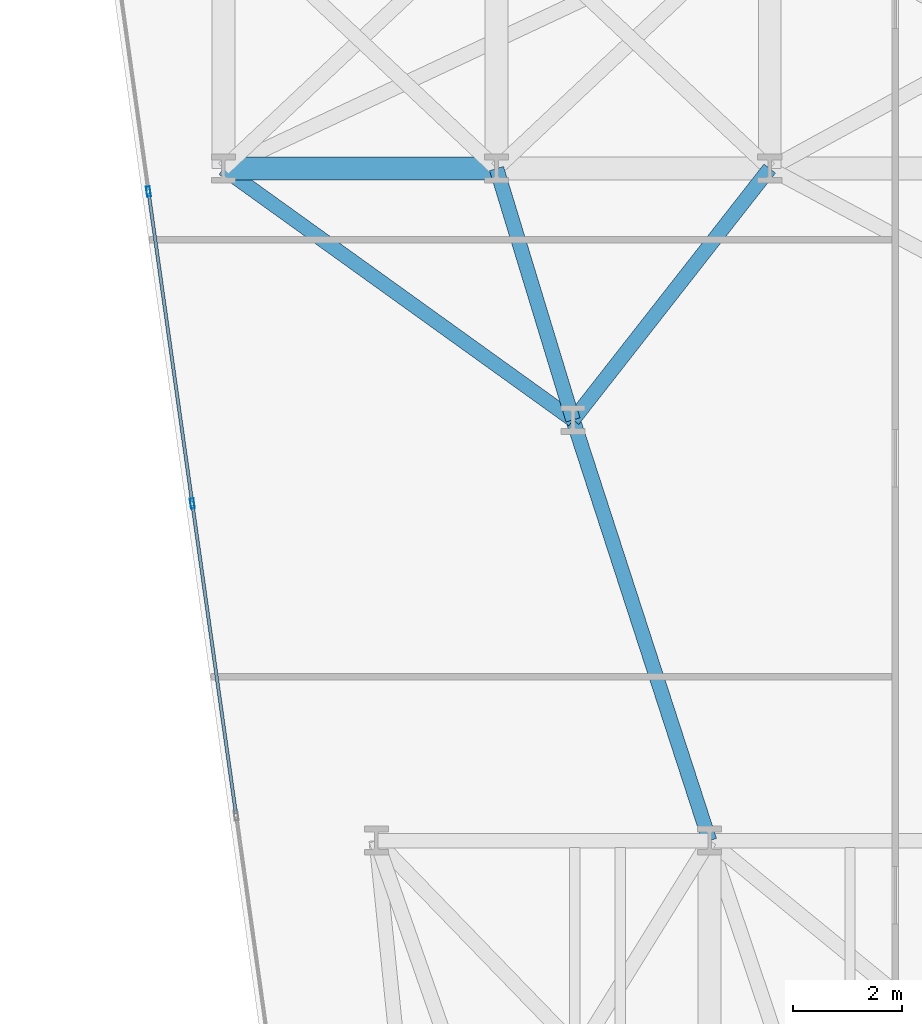
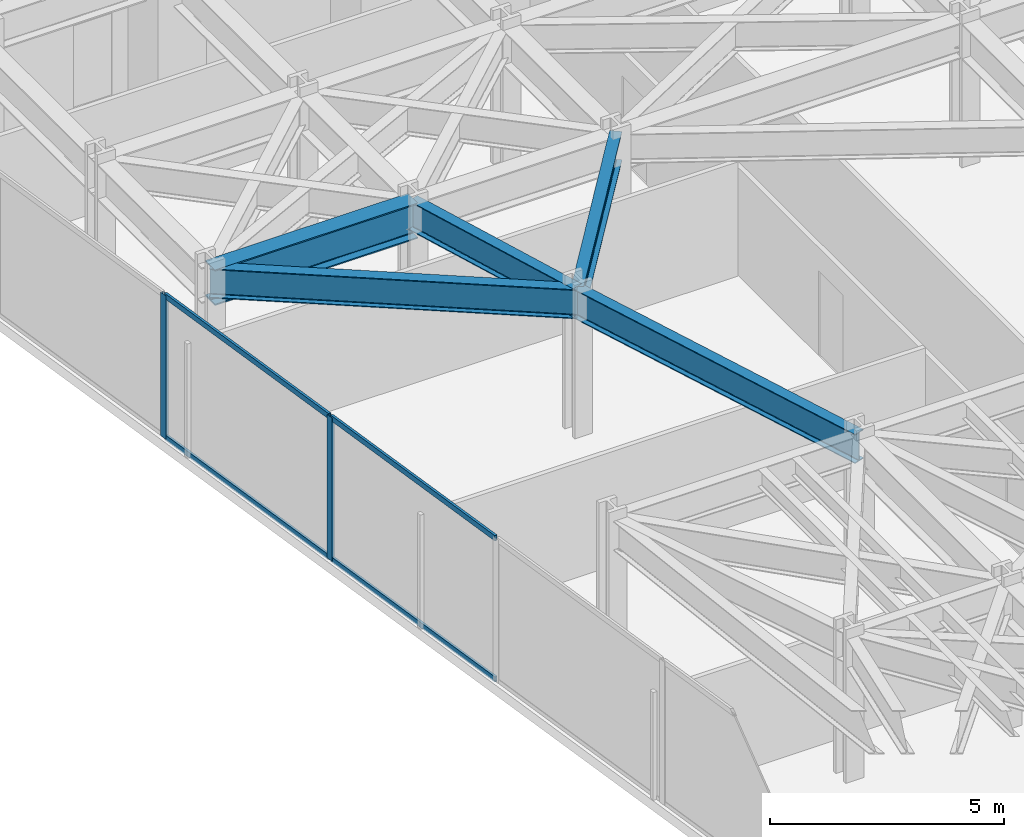
# One storey, part 7 of 24: 6 members, 5 beams, 1 element without a shape of its own.
"""IFC4 building model written with IfcOpenShell, lengths in metres."""

from ifc_helpers import new_model, si_unit, direction, frame, origin, origin_2d, place, context, subcontext, project, spatial, hollow_rectangle, i_section, extrude, material, layer, layer_set, material_profile, profile_set, type_object, element, aggregate, save


model = new_model("IFC4")

# Units and contexts
model_context = context("Model", 3, precision=1e-05, world=origin(), true_north=direction((0.0, 1.0)))
body_context = subcontext(model_context, "Body", "Model", "MODEL_VIEW")
ifc_project = project(units=[si_unit("LENGTHUNIT", "METRE"), si_unit("AREAUNIT", "SQUARE_METRE"), si_unit("VOLUMEUNIT", "CUBIC_METRE"), si_unit("PLANEANGLEUNIT", "RADIAN"), si_unit("MASSUNIT", "GRAM", prefix="KILO")], contexts=[model_context])

# Site, building, storey
site_placement = place(None, origin())
site = spatial("IfcSite", under=ifc_project, at=site_placement, CompositionType="ELEMENT")
building_placement = place(site_placement, origin())
building = spatial("IfcBuilding", under=site, at=building_placement, Name="Kravanh Interchange Tower", CompositionType="ELEMENT")
storey_placement = place(building_placement, frame((0.0, 0.0, 53.5)))
storey = spatial("IfcBuildingStorey", under=building, at=storey_placement, Name="L12", CompositionType="ELEMENT", Elevation=53.5)

# Curtain wall, members
ifc_material_1 = material(Name="Anodised Bronze Aluminium", Category="aluminium")
ifc_layer = layer(ifc_material_1, 0.179931640625)
ifc_layer_set = layer_set([ifc_layer], Name="Unitised Curtain Wall System CW-Z1 Lower Office")
curtain_wall_type = type_object("IfcCurtainWallType", Name="Unitised Curtain Wall System CW-Z1 Lower Office", PredefinedType="NOTDEFINED", material=ifc_layer_set)
curtain_wall_placement = place(storey_placement, origin())
curtain_wall = element("IfcCurtainWall", 1, at=curtain_wall_placement, inside=storey, type_object=curtain_wall_type, Name="L12 Unitised Curtain Wall CW-L12-01", PredefinedType="NOTDEFINED")
ifc_material_2 = material(Name="Anodised Bronze Aluminium", Category="aluminium")
ifc_material_profile_1 = material_profile(ifc_material_2, hollow_rectangle(XDim=0.070068359375, YDim=0.179931640625, WallThickness=0.00390625, at=origin_2d()), Name="ALU70X180X4")
ifc_profile_set_1 = profile_set([ifc_material_profile_1], Name="Anodised Bronze Aluminium")
member_type_1 = type_object("IfcMemberType", Name="Curtain Wall Mullion ALU70X180X4 Bronze", PredefinedType="MULLION", material=ifc_profile_set_1)
member_1_placement = place(storey_placement, frame((8.03271484375, 20.66845703125, 0.0), z_axis=(0.0, 0.0, 1.0), x_axis=(-0.990267585682, -0.139176538065, 0.0)))
member_1 = element("IfcMember", 2, at=member_1_placement, type_object=member_type_1, Name="CW-Z1 mullion 4", PredefinedType="MULLION", context=body_context, shape_type="SweptSolid", body=[
    extrude(hollow_rectangle(XDim=0.070068359375, YDim=0.179931640625, WallThickness=0.00390625, at=origin_2d()), origin(), (0.0, 0.0, 1.0), 3.739990234375),
])
member_2_placement = place(storey_placement, frame((7.22998046875, 26.37890625, 0.0), z_axis=(0.0, 0.0, 1.0), x_axis=(-0.990267585682, -0.139176538065, 0.0)))
member_2 = element("IfcMember", 3, at=member_2_placement, type_object=member_type_1, Name="CW-Z1 mullion 5", PredefinedType="MULLION", context=body_context, shape_type="SweptSolid", body=[
    extrude(hollow_rectangle(XDim=0.070068359375, YDim=0.179931640625, WallThickness=0.00390625, at=origin_2d()), origin(), (0.0, 0.0, 1.0), 3.739990234375),
])
ifc_material_3 = material(Name="Anodised Bronze Aluminium", Category="aluminium")
ifc_material_profile_2 = material_profile(ifc_material_3, hollow_rectangle(XDim=0.06005859375, YDim=0.139892578125, WallThickness=0.00390625, at=origin_2d()), Name="ALU60X140X4")
ifc_profile_set_2 = profile_set([ifc_material_profile_2], Name="Anodised Bronze Aluminium")
member_type_2 = type_object("IfcMemberType", Name="Curtain Wall Transom ALU60X140X4 Bronze", PredefinedType="USERDEFINED", material=ifc_profile_set_2)
member_3_placement = place(storey_placement, frame((8.830322265625, 14.992431640625, 0.030029296875), z_axis=(-0.139153051789, 0.990270886262, 0.0), x_axis=(-0.990270886262, -0.139153051789, 0.0)))
member_3 = element("IfcMember", 4, at=member_3_placement, type_object=member_type_2, Name="CW-Z1 transom 3.1", ObjectType="TRANSOM", PredefinedType="USERDEFINED", context=body_context, shape_type="SweptSolid", body=[
    extrude(hollow_rectangle(XDim=0.06005859375, YDim=0.139892578125, WallThickness=0.00390625, at=origin_2d()), origin(), (0.0, 0.0, 1.0), 5.69677734375),
])
member_4_placement = place(storey_placement, frame((8.830322265625, 14.992431640625, 3.7099609375), z_axis=(-0.139153051789, 0.990270886262, 0.0), x_axis=(-0.990270886262, -0.139153051789, 0.0)))
member_4 = element("IfcMember", 5, at=member_4_placement, type_object=member_type_2, Name="CW-Z1 transom 3.2", ObjectType="TRANSOM", PredefinedType="USERDEFINED", context=body_context, shape_type="SweptSolid", body=[
    extrude(hollow_rectangle(XDim=0.06005859375, YDim=0.139892578125, WallThickness=0.00390625, at=origin_2d()), origin(), (0.0, 0.0, 1.0), 5.69677734375),
])
member_5_placement = place(storey_placement, frame((8.02783203125, 20.703125, 0.030029296875), z_axis=(-0.139200984921, 0.990264149506, 0.0), x_axis=(-0.990264149506, -0.139200984921, 0.0)))
member_5 = element("IfcMember", 6, at=member_5_placement, type_object=member_type_2, Name="CW-Z1 transom 4.1", ObjectType="TRANSOM", PredefinedType="USERDEFINED", context=body_context, shape_type="SweptSolid", body=[
    extrude(hollow_rectangle(XDim=0.06005859375, YDim=0.139892578125, WallThickness=0.00390625, at=origin_2d()), origin(), (0.0, 0.0, 1.0), 5.696533203125),
])
member_6_placement = place(storey_placement, frame((8.02783203125, 20.703125, 3.7099609375), z_axis=(-0.139200984921, 0.990264149506, 0.0), x_axis=(-0.990264149506, -0.139200984921, 0.0)))
member_6 = element("IfcMember", 7, at=member_6_placement, type_object=member_type_2, Name="CW-Z1 transom 4.2", ObjectType="TRANSOM", PredefinedType="USERDEFINED", context=body_context, shape_type="SweptSolid", body=[
    extrude(hollow_rectangle(XDim=0.06005859375, YDim=0.139892578125, WallThickness=0.00390625, at=origin_2d()), origin(), (0.0, 0.0, 1.0), 5.696533203125),
])
aggregate(curtain_wall, [member_1, member_2, member_3, member_4, member_5, member_6])

# Beams
ifc_material_4 = material(Name="Structural Steel S355", Category="steel")
ifc_material_profile_3 = material_profile(ifc_material_4, i_section(OverallWidth=0.41796875, OverallDepth=0.927001953125, WebThickness=0.019287109375, FlangeThickness=0.031982421875, FilletRadius=0.028076171875, at=origin_2d()), Name="W36X231")
ifc_profile_set_3 = profile_set([ifc_material_profile_3], Name="Structural Steel S355")
beam_type_1 = type_object("IfcBeamType", Name="Floor Beam W36X231 Structural Steel S355", PredefinedType="BEAM", material=ifc_profile_set_3)
beam_1_placement = place(storey_placement, frame((8.60009765625, 26.800048828125, 3.276611328125), z_axis=(1.0, 0.0, 0.0), x_axis=(0.0, 1.0, 0.0)))
element("IfcBeam", 8, at=beam_1_placement, inside=storey, type_object=beam_type_1, Name="L12 Primary Floor Girder 67", PredefinedType="BEAM", context=body_context, shape_type="SweptSolid", body=[
    extrude(i_section(OverallWidth=0.41796875, OverallDepth=0.927001953125, WebThickness=0.019287109375, FlangeThickness=0.031982421875, FilletRadius=0.028076171875, at=origin_2d()), origin(), (0.0, 0.0, 1.0), 5.0),
])
ifc_material_5 = material(Name="Structural Steel S355", Category="steel")
ifc_material_profile_4 = material_profile(ifc_material_5, i_section(OverallWidth=0.26708984375, OverallDepth=0.761962890625, WebThickness=0.014404296875, FlangeThickness=0.021484375, FilletRadius=0.02490234375, at=origin_2d()), Name="W30X116")
ifc_profile_set_4 = profile_set([ifc_material_profile_4], Name="Structural Steel S355")
beam_type_2 = type_object("IfcBeamType", Name="Floor Spandrel W30X116 Structural Steel S355", PredefinedType="SPANDREL", material=ifc_profile_set_4)
beam_2_placement = place(storey_placement, frame((15.0, 22.199951171875, 3.35888671875), z_axis=(-0.291137370727, 0.956681259023, 0.0), x_axis=(-0.956681259023, -0.291137370727, 0.0)))
element("IfcBeam", 9, at=beam_2_placement, inside=storey, type_object=beam_type_2, Name="L12 Perimeter Spandrel 50", PredefinedType="SPANDREL", context=body_context, shape_type="SweptSolid", body=[
    extrude(i_section(OverallWidth=0.26708984375, OverallDepth=0.761962890625, WebThickness=0.014404296875, FlangeThickness=0.021484375, FilletRadius=0.02490234375, at=origin_2d()), origin(), (0.0, 0.0, 1.0), 4.808349609375),
])
beam_3_placement = place(storey_placement, frame((15.0, 22.199951171875, 3.35888671875), z_axis=(0.616310515553, 0.787503237085, 0.0), x_axis=(-0.787503237085, 0.616310515553, 0.0)))
element("IfcBeam", 10, at=beam_3_placement, inside=storey, type_object=beam_type_2, Name="L12 Perimeter Spandrel 51", PredefinedType="SPANDREL", context=body_context, shape_type="SweptSolid", body=[
    extrude(i_section(OverallWidth=0.26708984375, OverallDepth=0.761962890625, WebThickness=0.014404296875, FlangeThickness=0.021484375, FilletRadius=0.02490234375, at=origin_2d()), origin(), (0.0, 0.0, 1.0), 5.84130859375),
])
beam_4_placement = place(storey_placement, frame((15.0, 22.199951171875, 3.35888671875), z_axis=(-0.812005278585, 0.583650089994, 0.0), x_axis=(-0.583650089994, -0.812005278585, 0.0)))
element("IfcBeam", 11, at=beam_4_placement, inside=storey, type_object=beam_type_2, Name="L12 Perimeter Spandrel 52", PredefinedType="SPANDREL", context=body_context, shape_type="SweptSolid", body=[
    extrude(i_section(OverallWidth=0.26708984375, OverallDepth=0.761962890625, WebThickness=0.014404296875, FlangeThickness=0.021484375, FilletRadius=0.02490234375, at=origin_2d()), origin(), (0.0, 0.0, 1.0), 7.881591796875),
])
beam_5_placement = place(storey_placement, frame((15.0, 22.199951171875, 3.35888671875), z_axis=(0.30880852537, -0.951124226723, 0.0), x_axis=(0.951124226723, 0.30880852537, 0.0)))
element("IfcBeam", 12, at=beam_5_placement, inside=storey, type_object=beam_type_2, Name="L12 Perimeter Spandrel 53", PredefinedType="SPANDREL", context=body_context, shape_type="SweptSolid", body=[
    extrude(i_section(OverallWidth=0.26708984375, OverallDepth=0.761962890625, WebThickness=0.014404296875, FlangeThickness=0.021484375, FilletRadius=0.02490234375, at=origin_2d()), origin(), (0.0, 0.0, 1.0), 8.095703125),
])

save(model, "model.ifc")
